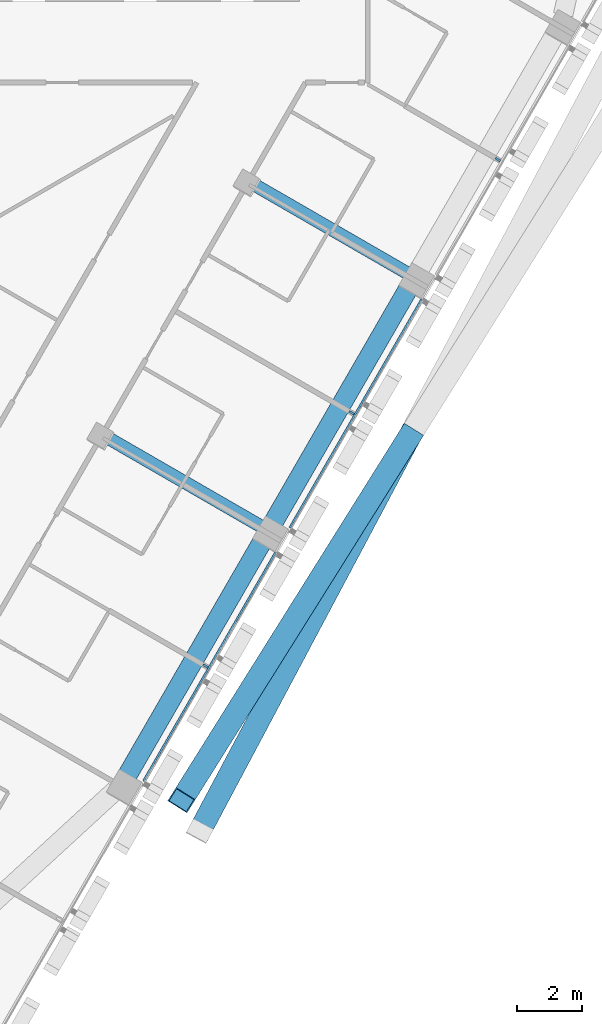
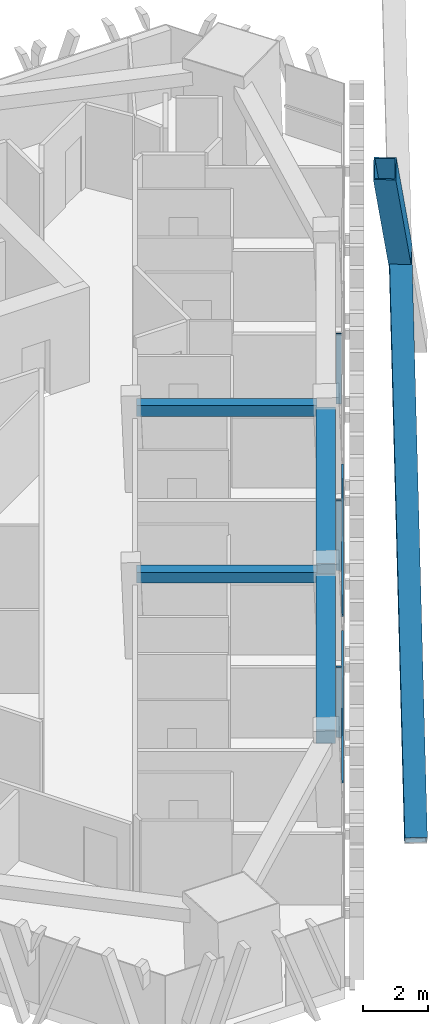
# One storey, part 4 of 17: 7 members, 4 beams, 1 element without a shape of its own.
"""IFC4 building model written with IfcOpenShell, lengths in metres."""

from ifc_helpers import new_model, si_unit, direction, frame, origin, origin_2d, place, context, subcontext, project, spatial, rectangle, hollow_rectangle, extrude, material, layer, layer_set, material_profile, profile_set, type_object, element, aggregate, save


model = new_model("IFC4")

# Units and contexts
model_context = context("Model", 3, precision=1e-05, world=origin(), true_north=direction((0.0, 1.0)))
body_context = subcontext(model_context, "Body", "Model", "MODEL_VIEW")
ifc_project = project(units=[si_unit("LENGTHUNIT", "METRE"), si_unit("AREAUNIT", "SQUARE_METRE"), si_unit("VOLUMEUNIT", "CUBIC_METRE"), si_unit("PLANEANGLEUNIT", "RADIAN"), si_unit("MASSUNIT", "GRAM", prefix="KILO")], contexts=[model_context])

# Site, building, storey
site_placement = place(None, origin())
site = spatial("IfcSite", under=ifc_project, at=site_placement, CompositionType="ELEMENT")
building_placement = place(site_placement, origin())
building = spatial("IfcBuilding", under=site, at=building_placement, Name="Altiplano Prism Tower", CompositionType="ELEMENT")
storey_placement = place(building_placement, frame((0.0, 0.0, 194.39990234375)))
storey = spatial("IfcBuildingStorey", under=building, at=storey_placement, Name="L50", CompositionType="ELEMENT", Elevation=194.39990234375)

# Curtain wall, members
ifc_material_1 = material(Name="Aluminium and glass", Category="aluminium")
ifc_layer = layer(ifc_material_1, 0.280029296875)
ifc_layer_set = layer_set([ifc_layer], Name="Aluminium and glass")
curtain_wall_type = type_object("IfcCurtainWallType", Name="CW1 typical co-living unitised curtain wall", PredefinedType="NOTDEFINED", material=ifc_layer_set)
curtain_wall_placement = place(storey_placement, origin())
curtain_wall = element("IfcCurtainWall", 1, at=curtain_wall_placement, inside=storey, type_object=curtain_wall_type, Name="CW1 curtain wall south-east face L50", PredefinedType="NOTDEFINED")
ifc_material_2 = material(Name="Aluminium", Category="aluminium")
ifc_material_profile_1 = material_profile(ifc_material_2, rectangle(XDim=0.179931640625, YDim=0.06494140625, at=origin_2d()), Name="CW1 mullion 65 x 180")
ifc_profile_set_1 = profile_set([ifc_material_profile_1], Name="Aluminium")
member_type_1 = type_object("IfcMemberType", Name="CW1 mullion 65 x 180", PredefinedType="MULLION", material=ifc_profile_set_1)
member_1_placement = place(storey_placement, frame((94.802490234375, 72.2431640625, 0.0), z_axis=(0.0, 0.0, 1.0), x_axis=(-0.866025410146, 0.499999988981, 0.0)))
member_1 = element("IfcMember", 2, at=member_1_placement, type_object=member_type_1, Name="CW1 mullion", PredefinedType="MULLION", context=body_context, shape_type="SweptSolid", body=[
    extrude(rectangle(XDim=0.179931640625, YDim=0.06494140625, at=origin_2d()), origin(), (0.0, 0.0, 1.0), 2.650146484375),
])
member_2_placement = place(storey_placement, frame((99.302490234375, 80.037353515625, 0.0), z_axis=(0.0, 0.0, 1.0), x_axis=(-0.866025410146, 0.499999988981, 0.0)))
member_2 = element("IfcMember", 3, at=member_2_placement, type_object=member_type_1, Name="CW1 mullion", PredefinedType="MULLION", context=body_context, shape_type="SweptSolid", body=[
    extrude(rectangle(XDim=0.179931640625, YDim=0.06494140625, at=origin_2d()), origin(), (0.0, 0.0, 1.0), 2.650146484375),
])
member_3_placement = place(storey_placement, frame((103.802490234375, 87.83154296875, 0.0), z_axis=(0.0, 0.0, 1.0), x_axis=(-0.866025410146, 0.499999988981, 0.0)))
member_3 = element("IfcMember", 4, at=member_3_placement, type_object=member_type_1, Name="CW1 mullion", PredefinedType="MULLION", context=body_context, shape_type="SweptSolid", body=[
    extrude(rectangle(XDim=0.179931640625, YDim=0.06494140625, at=origin_2d()), origin(), (0.0, 0.0, 1.0), 2.650146484375),
])
ifc_material_profile_2 = material_profile(ifc_material_2, rectangle(XDim=0.06005859375, YDim=0.080078125, at=origin_2d()), Name="CW1 transom 80 x 60")
ifc_profile_set_2 = profile_set([ifc_material_profile_2], Name="Aluminium")
member_type_2 = type_object("IfcMemberType", Name="CW1 transom 80 x 60", PredefinedType="USERDEFINED", material=ifc_profile_set_2)
member_4_placement = place(storey_placement, frame((92.896240234375, 68.701416015625, 1.10009765625), z_axis=(0.499987045439, 0.866032882975, 0.0), x_axis=(-0.866032882975, 0.499987045439, 0.0)))
member_4 = element("IfcMember", 5, at=member_4_placement, type_object=member_type_2, Name="CW1 transom", ObjectType="TRANSOM", PredefinedType="USERDEFINED", context=body_context, shape_type="SweptSolid", body=[
    extrude(rectangle(XDim=0.06005859375, YDim=0.080078125, at=origin_2d()), origin(), (0.0, 0.0, 1.0), 8.120361328125),
])
member_5_placement = place(storey_placement, frame((97.396240234375, 76.49560546875, 1.10009765625), z_axis=(0.499987045439, 0.866032882975, 0.0), x_axis=(-0.866032882975, 0.499987045439, 0.0)))
member_5 = element("IfcMember", 6, at=member_5_placement, type_object=member_type_2, Name="CW1 transom", ObjectType="TRANSOM", PredefinedType="USERDEFINED", context=body_context, shape_type="SweptSolid", body=[
    extrude(rectangle(XDim=0.06005859375, YDim=0.080078125, at=origin_2d()), origin(), (0.0, 0.0, 1.0), 8.120361328125),
])
aggregate(curtain_wall, [member_1, member_4, member_2, member_5, member_3])

# Beams
ifc_material_3 = material(Name="Concrete C60/75", Category="concrete")
ifc_material_profile_3 = material_profile(ifc_material_3, rectangle(XDim=0.60009765625, YDim=0.5, at=origin_2d()), Name="Edge beam 600x500")
ifc_profile_set_3 = profile_set([ifc_material_profile_3], Name="Concrete C60/75")
beam_type_1 = type_object("IfcBeamType", Name="Edge beam 600x500", PredefinedType="SPANDREL", material=ifc_profile_set_3)
for number, where, z_axis, x_axis, name in (
    (7, (92.38720703125, 68.857177734375, 2.900146484375), (0.500027935199, 0.866009274789, 0.0), (-0.866009274789, 0.500027935199, 0.0), "Edge beam P21-P22 L51"),
    (8, (96.88720703125, 76.6513671875, 2.900146484375), (0.500027935199, 0.866009274789, 0.0), (-0.866009274789, 0.500027935199, 0.0), "Edge beam P22-P23 L51"),
):
    element("IfcBeam", number, at=place(storey_placement, frame(where, z_axis=z_axis, x_axis=x_axis)), inside=storey, type_object=beam_type_1, Name=name, PredefinedType="SPANDREL", context=body_context, shape_type="SweptSolid", body=[
        extrude(rectangle(XDim=0.60009765625, YDim=0.5, at=origin_2d()), origin(), (0.0, 0.0, 1.0), 8.43994140625),
    ])

# Members
ifc_material_4 = material(Name="Steel S355", Category="steel")
ifc_material_profile_4 = material_profile(ifc_material_4, hollow_rectangle(XDim=0.699951171875, YDim=0.699951171875, WallThickness=0.034912109375, at=origin_2d()), Name="Mega brace Box 700x700x35")
ifc_profile_set_4 = profile_set([ifc_material_profile_4], Name="Steel S355")
member_type_3 = type_object("IfcMemberType", Name="Mega brace Box 700x700x35", PredefinedType="BRACE", material=ifc_profile_set_4)
member_6_placement = place(storey_placement, frame((94.634521484375, 67.173828125, -0.7763671875), z_axis=(0.347474528543, 0.653517381441, 0.672440691934), x_axis=(-0.882951416223, 0.469464372014, 0.0)))
element("IfcMember", 9, at=member_6_placement, inside=storey, type_object=member_type_3, Name="Mega brace 5.2.1", PredefinedType="BRACE", context=body_context, shape_type="SweptSolid", body=[
    extrude(hollow_rectangle(XDim=0.699951171875, YDim=0.699951171875, WallThickness=0.034912109375, at=origin_2d()), origin(), (0.0, 0.0, 1.0), 18.591064453125),
])
member_7_placement = place(storey_placement, frame((101.094482421875, 79.323486328125, 11.72509765625), z_axis=(-0.385730316217, -0.615305851302, 0.687466968301), x_axis=(0.847277049098, -0.531151204528, 0.0)))
element("IfcMember", 10, at=member_7_placement, inside=storey, type_object=member_type_3, Name="Mega brace 5.2.4", PredefinedType="BRACE", context=body_context, shape_type="SweptSolid", body=[
    extrude(hollow_rectangle(XDim=0.699951171875, YDim=0.699951171875, WallThickness=0.034912109375, at=origin_2d()), origin(), (0.0, 0.0, 1.0), 18.218994140625),
])

# Beams
ifc_material_profile_5 = material_profile(ifc_material_3, rectangle(XDim=0.39990234375, YDim=0.39990234375, at=origin_2d()), Name="Tie beam 400x400")
ifc_profile_set_5 = profile_set([ifc_material_profile_5], Name="Concrete C60/75")
beam_type_2 = type_object("IfcBeamType", Name="Tie beam 400x400", PredefinedType="BEAM", material=ifc_profile_set_5)
for number, where, z_axis, x_axis, name in (
    (11, (91.663818359375, 79.34375, 2.9501953125), (0.866030670444, -0.499990877767, 0.0), (0.499990877767, 0.866030670444, 0.0), "Tie beam I22 L51"),
    (12, (96.163818359375, 87.137939453125, 2.9501953125), (0.866030670444, -0.499990877767, 0.0), (0.499990877767, 0.866030670444, 0.0), "Tie beam I23 L51"),
):
    element("IfcBeam", number, at=place(storey_placement, frame(where, z_axis=z_axis, x_axis=x_axis)), inside=storey, type_object=beam_type_2, Name=name, PredefinedType="BEAM", context=body_context, shape_type="SweptSolid", body=[
        extrude(rectangle(XDim=0.39990234375, YDim=0.39990234375, at=origin_2d()), origin(), (0.0, 0.0, 1.0), 5.58984375),
    ])

save(model, "model.ifc")
